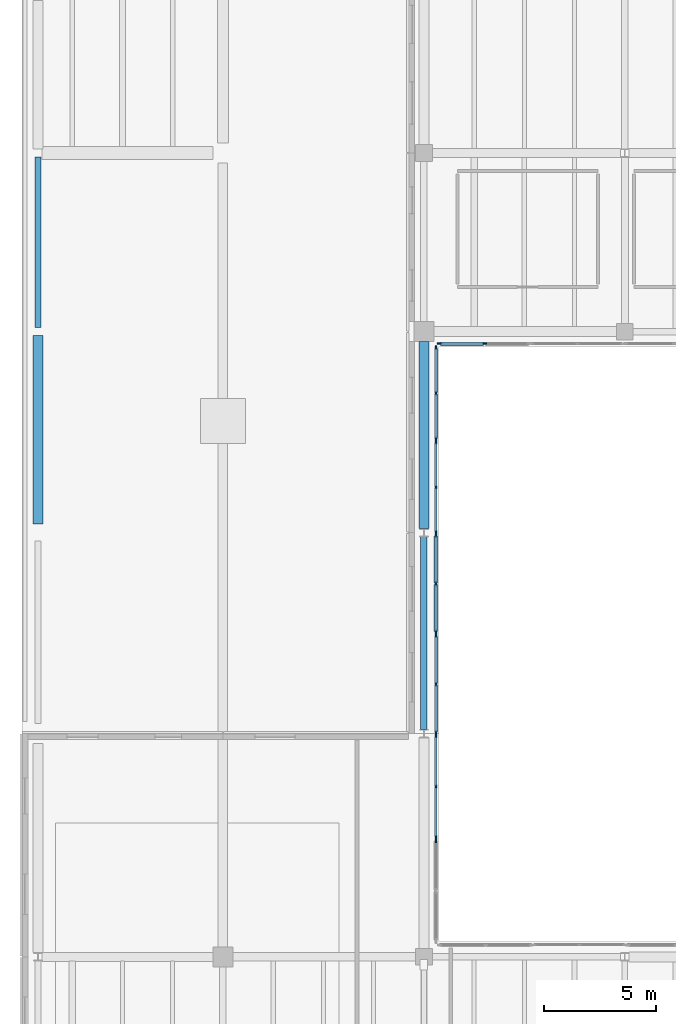
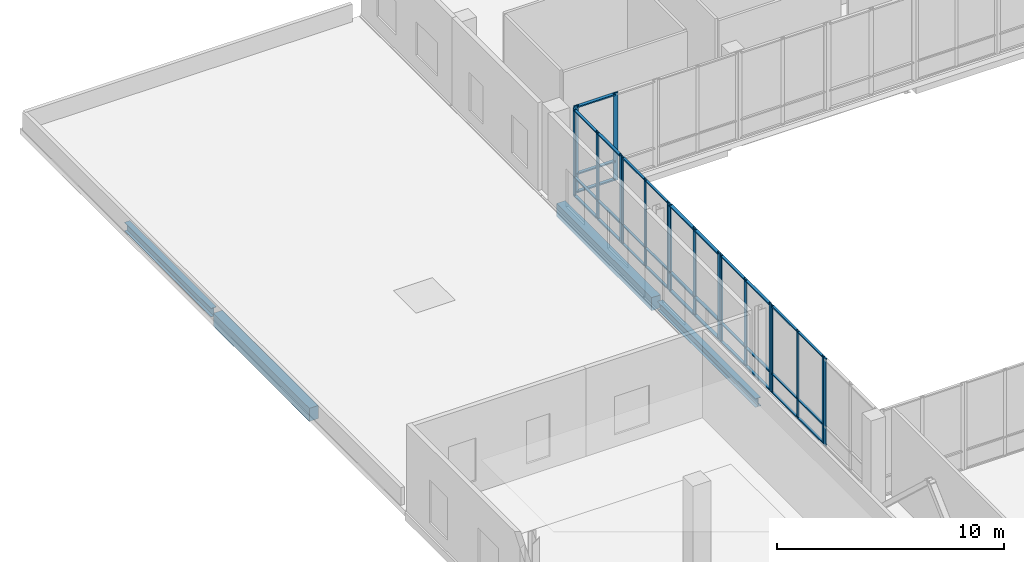
# One storey, part 24 of 60: 51 members, 4 beams, 7 elements without a shape of their own.
"""IFC4 building model written with IfcOpenShell, lengths in metres."""

from ifc_helpers import new_model, si_unit, direction, frame, origin, origin_2d, place, context, subcontext, project, spatial, rectangle, i_section, extrude, material, material_profile, profile_set, type_object, element, aggregate, save


model = new_model("IFC4")

# Units and contexts
model_context = context("Model", 3, precision=1e-05, world=origin(), true_north=direction((0.0, 1.0)))
body_context = subcontext(model_context, "Body", "Model", "MODEL_VIEW")
ifc_project = project(units=[si_unit("LENGTHUNIT", "METRE"), si_unit("AREAUNIT", "SQUARE_METRE"), si_unit("VOLUMEUNIT", "CUBIC_METRE"), si_unit("PLANEANGLEUNIT", "RADIAN"), si_unit("MASSUNIT", "GRAM", prefix="KILO")], contexts=[model_context])

# Site, building, storey
site_placement = place(None, origin())
site = spatial("IfcSite", under=ifc_project, at=site_placement, CompositionType="ELEMENT")
building_placement = place(site_placement, origin())
building = spatial("IfcBuilding", under=site, at=building_placement, Name="Trimount Lyric Opera House", CompositionType="ELEMENT")
storey_placement = place(building_placement, frame((0.0, 0.0, 15.0)))
storey = spatial("IfcBuildingStorey", under=building, at=storey_placement, Name="L03", CompositionType="ELEMENT", Elevation=15.0)

# Curtain wall, members
ifc_material_1 = material(Name="Thermally Broken Aluminium and Low-E Glass", Category="aluminium")
curtain_wall_type = type_object("IfcCurtainWallType", Name="CW-03", PredefinedType="NOTDEFINED", material=ifc_material_1)
curtain_wall_1_placement = place(storey_placement, origin())
curtain_wall_1 = element("IfcCurtainWall", 1, at=curtain_wall_1_placement, inside=storey, type_object=curtain_wall_type, Name="L03 curtain wall 288", PredefinedType="NOTDEFINED")
ifc_material_2 = material(Name="Anodised Aluminium 6063-T6", Category="aluminium")
ifc_material_profile_1 = material_profile(ifc_material_2, rectangle(XDim=0.070068359375, YDim=0.219970703125, at=origin_2d()), Name="ALU-MULL-70X220")
ifc_profile_set_1 = profile_set([ifc_material_profile_1], Name="Anodised Aluminium 6063-T6")
member_type_1 = type_object("IfcMemberType", Name="ML-01", PredefinedType="MULLION", material=ifc_profile_set_1)
member_1_placement = place(storey_placement, frame((20.715087890625, 101.4599609375, 0.0), z_axis=(0.0, 0.0, 1.0), x_axis=(0.0, -1.0, 0.0)))
member_1 = element("IfcMember", 2, at=member_1_placement, type_object=member_type_1, Name="CW-03 mullion 2", PredefinedType="MULLION", context=body_context, shape_type="SweptSolid", body=[
    extrude(rectangle(XDim=0.070068359375, YDim=0.219970703125, at=origin_2d()), origin(), (0.0, 0.0, 1.0), 4.719970703125),
])
member_2_placement = place(storey_placement, frame((18.715087890625, 101.4599609375, 0.0), z_axis=(0.0, 0.0, 1.0), x_axis=(0.0, -1.0, 0.0)))
member_2 = element("IfcMember", 3, at=member_2_placement, type_object=member_type_1, Name="CW-03 mullion 3", PredefinedType="MULLION", context=body_context, shape_type="SweptSolid", body=[
    extrude(rectangle(XDim=0.070068359375, YDim=0.219970703125, at=origin_2d()), origin(), (0.0, 0.0, 1.0), 4.719970703125),
])

curtain_wall_2_placement = place(storey_placement, origin())
curtain_wall_2 = element("IfcCurtainWall", 4, at=curtain_wall_2_placement, inside=storey, type_object=curtain_wall_type, Name="L03 curtain wall 291", PredefinedType="NOTDEFINED")
member_3_placement = place(storey_placement, frame((18.5400390625, 92.875, 0.0), z_axis=(0.0, 0.0, 1.0), x_axis=(1.0, 0.0, 0.0)))
member_3 = element("IfcMember", 5, at=member_3_placement, type_object=member_type_1, Name="CW-03 mullion 1", PredefinedType="MULLION", context=body_context, shape_type="SweptSolid", body=[
    extrude(rectangle(XDim=0.070068359375, YDim=0.219970703125, at=origin_2d()), origin(), (0.0, 0.0, 1.0), 4.719970703125),
])
member_4_placement = place(storey_placement, frame((18.5400390625, 90.705078125, 0.0), z_axis=(0.0, 0.0, 1.0), x_axis=(1.0, 0.0, 0.0)))
member_4 = element("IfcMember", 6, at=member_4_placement, type_object=member_type_1, Name="CW-03 mullion 2", PredefinedType="MULLION", context=body_context, shape_type="SweptSolid", body=[
    extrude(rectangle(XDim=0.070068359375, YDim=0.219970703125, at=origin_2d()), origin(), (0.0, 0.0, 1.0), 4.719970703125),
])
member_5_placement = place(storey_placement, frame((18.5400390625, 88.534912109375, 0.0), z_axis=(0.0, 0.0, 1.0), x_axis=(1.0, 0.0, 0.0)))
member_5 = element("IfcMember", 7, at=member_5_placement, type_object=member_type_1, Name="CW-03 mullion 3", PredefinedType="MULLION", context=body_context, shape_type="SweptSolid", body=[
    extrude(rectangle(XDim=0.070068359375, YDim=0.219970703125, at=origin_2d()), origin(), (0.0, 0.0, 1.0), 4.719970703125),
])

# Curtain wall, member
curtain_wall_3_placement = place(storey_placement, origin())
curtain_wall_3 = element("IfcCurtainWall", 8, at=curtain_wall_3_placement, inside=storey, type_object=curtain_wall_type, Name="L03 curtain wall 294", PredefinedType="NOTDEFINED")
member_6_placement = place(storey_placement, frame((18.5400390625, 79.215087890625, 0.0), z_axis=(0.0, 0.0, 1.0), x_axis=(1.0, 0.0, 0.0)))
member_6 = element("IfcMember", 9, at=member_6_placement, type_object=member_type_1, Name="CW-03 mullion 1", PredefinedType="MULLION", context=body_context, shape_type="SweptSolid", body=[
    extrude(rectangle(XDim=0.070068359375, YDim=0.219970703125, at=origin_2d()), origin(), (0.0, 0.0, 1.0), 4.719970703125),
])
aggregate(curtain_wall_3, [member_6])

# Curtain wall, members
curtain_wall_4_placement = place(storey_placement, origin())
curtain_wall_4 = element("IfcCurtainWall", 10, at=curtain_wall_4_placement, inside=storey, type_object=curtain_wall_type, Name="L03 curtain wall 289", PredefinedType="NOTDEFINED")
ifc_material_3 = material(Name="Anodised Aluminium 6063-T6", Category="aluminium")
ifc_material_profile_2 = material_profile(ifc_material_3, rectangle(XDim=0.06494140625, YDim=0.179931640625, at=origin_2d()), Name="ALU-MULL-65X180")
ifc_profile_set_2 = profile_set([ifc_material_profile_2], Name="Anodised Aluminium 6063-T6")
member_type_2 = type_object("IfcMemberType", Name="ML-02", PredefinedType="MULLION", material=ifc_profile_set_2)
member_7_placement = place(storey_placement, frame((18.5400390625, 101.28759765625, 0.0), z_axis=(0.0, 0.0, 1.0), x_axis=(1.0, 0.0, 0.0)))
member_7 = element("IfcMember", 11, at=member_7_placement, type_object=member_type_2, Name="CW-03 mullion 1", PredefinedType="MULLION", context=body_context, shape_type="SweptSolid", body=[
    extrude(rectangle(XDim=0.06494140625, YDim=0.179931640625, at=origin_2d()), origin(), (0.0, 0.0, 1.0), 4.719970703125),
])
member_8_placement = place(storey_placement, frame((18.5400390625, 99.239990234375, 0.0), z_axis=(0.0, 0.0, 1.0), x_axis=(1.0, 0.0, 0.0)))
member_8 = element("IfcMember", 12, at=member_8_placement, type_object=member_type_2, Name="CW-03 mullion 2", PredefinedType="MULLION", context=body_context, shape_type="SweptSolid", body=[
    extrude(rectangle(XDim=0.06494140625, YDim=0.179931640625, at=origin_2d()), origin(), (0.0, 0.0, 1.0), 4.719970703125),
])
member_9_placement = place(storey_placement, frame((18.5400390625, 97.1923828125, 0.0), z_axis=(0.0, 0.0, 1.0), x_axis=(1.0, 0.0, 0.0)))
member_9 = element("IfcMember", 13, at=member_9_placement, type_object=member_type_2, Name="CW-03 mullion 3", PredefinedType="MULLION", context=body_context, shape_type="SweptSolid", body=[
    extrude(rectangle(XDim=0.06494140625, YDim=0.179931640625, at=origin_2d()), origin(), (0.0, 0.0, 1.0), 4.719970703125),
])

curtain_wall_5_placement = place(storey_placement, origin())
curtain_wall_5 = element("IfcCurtainWall", 14, at=curtain_wall_5_placement, inside=storey, type_object=curtain_wall_type, Name="L03 curtain wall 292", PredefinedType="NOTDEFINED")
member_10_placement = place(storey_placement, frame((18.5400390625, 88.37744140625, 0.0), z_axis=(0.0, 0.0, 1.0), x_axis=(1.0, 0.0, 0.0)))
member_10 = element("IfcMember", 15, at=member_10_placement, type_object=member_type_2, Name="CW-03 mullion 1", PredefinedType="MULLION", context=body_context, shape_type="SweptSolid", body=[
    extrude(rectangle(XDim=0.06494140625, YDim=0.179931640625, at=origin_2d()), origin(), (0.0, 0.0, 1.0), 4.719970703125),
])
member_11_placement = place(storey_placement, frame((18.5400390625, 86.205078125, 0.0), z_axis=(0.0, 0.0, 1.0), x_axis=(1.0, 0.0, 0.0)))
member_11 = element("IfcMember", 16, at=member_11_placement, type_object=member_type_2, Name="CW-03 mullion 2", PredefinedType="MULLION", context=body_context, shape_type="SweptSolid", body=[
    extrude(rectangle(XDim=0.06494140625, YDim=0.179931640625, at=origin_2d()), origin(), (0.0, 0.0, 1.0), 4.719970703125),
])
member_12_placement = place(storey_placement, frame((18.5400390625, 84.032470703125, 0.0), z_axis=(0.0, 0.0, 1.0), x_axis=(1.0, 0.0, 0.0)))
member_12 = element("IfcMember", 17, at=member_12_placement, type_object=member_type_2, Name="CW-03 mullion 3", PredefinedType="MULLION", context=body_context, shape_type="SweptSolid", body=[
    extrude(rectangle(XDim=0.06494140625, YDim=0.179931640625, at=origin_2d()), origin(), (0.0, 0.0, 1.0), 4.719970703125),
])

curtain_wall_6_placement = place(storey_placement, origin())
curtain_wall_6 = element("IfcCurtainWall", 18, at=curtain_wall_6_placement, inside=storey, type_object=curtain_wall_type, Name="L03 curtain wall 290", PredefinedType="NOTDEFINED")
ifc_material_4 = material(Name="Anodised Aluminium 6063-T6", Category="aluminium")
ifc_material_profile_3 = material_profile(ifc_material_4, rectangle(XDim=0.06005859375, YDim=0.14990234375, at=origin_2d()), Name="ALU-MULL-60X150")
ifc_profile_set_3 = profile_set([ifc_material_profile_3], Name="Anodised Aluminium 6063-T6")
member_type_3 = type_object("IfcMemberType", Name="ML-03", PredefinedType="MULLION", material=ifc_profile_set_3)
member_13_placement = place(storey_placement, frame((18.5400390625, 97.0400390625, 0.0), z_axis=(0.0, 0.0, 1.0), x_axis=(1.0, 0.0, 0.0)))
member_13 = element("IfcMember", 19, at=member_13_placement, type_object=member_type_3, Name="CW-03 mullion 1", PredefinedType="MULLION", context=body_context, shape_type="SweptSolid", body=[
    extrude(rectangle(XDim=0.06005859375, YDim=0.14990234375, at=origin_2d()), origin(), (0.0, 0.0, 1.0), 4.719970703125),
])
member_14_placement = place(storey_placement, frame((18.5400390625, 95.034912109375, 0.0), z_axis=(0.0, 0.0, 1.0), x_axis=(1.0, 0.0, 0.0)))
member_14 = element("IfcMember", 20, at=member_14_placement, type_object=member_type_3, Name="CW-03 mullion 2", PredefinedType="MULLION", context=body_context, shape_type="SweptSolid", body=[
    extrude(rectangle(XDim=0.06005859375, YDim=0.14990234375, at=origin_2d()), origin(), (0.0, 0.0, 1.0), 4.719970703125),
])
member_15_placement = place(storey_placement, frame((18.5400390625, 93.030029296875, 0.0), z_axis=(0.0, 0.0, 1.0), x_axis=(1.0, 0.0, 0.0)))
member_15 = element("IfcMember", 21, at=member_15_placement, type_object=member_type_3, Name="CW-03 mullion 3", PredefinedType="MULLION", context=body_context, shape_type="SweptSolid", body=[
    extrude(rectangle(XDim=0.06005859375, YDim=0.14990234375, at=origin_2d()), origin(), (0.0, 0.0, 1.0), 4.719970703125),
])

curtain_wall_7_placement = place(storey_placement, origin())
curtain_wall_7 = element("IfcCurtainWall", 22, at=curtain_wall_7_placement, inside=storey, type_object=curtain_wall_type, Name="L03 curtain wall 293", PredefinedType="NOTDEFINED")
member_16_placement = place(storey_placement, frame((18.5400390625, 83.8798828125, 0.0), z_axis=(0.0, 0.0, 1.0), x_axis=(1.0, 0.0, 0.0)))
member_16 = element("IfcMember", 23, at=member_16_placement, type_object=member_type_3, Name="CW-03 mullion 1", PredefinedType="MULLION", context=body_context, shape_type="SweptSolid", body=[
    extrude(rectangle(XDim=0.06005859375, YDim=0.14990234375, at=origin_2d()), origin(), (0.0, 0.0, 1.0), 4.719970703125),
])
member_17_placement = place(storey_placement, frame((18.5400390625, 81.625, 0.0), z_axis=(0.0, 0.0, 1.0), x_axis=(1.0, 0.0, 0.0)))
member_17 = element("IfcMember", 24, at=member_17_placement, type_object=member_type_3, Name="CW-03 mullion 2", PredefinedType="MULLION", context=body_context, shape_type="SweptSolid", body=[
    extrude(rectangle(XDim=0.06005859375, YDim=0.14990234375, at=origin_2d()), origin(), (0.0, 0.0, 1.0), 4.719970703125),
])
member_18_placement = place(storey_placement, frame((18.5400390625, 79.3701171875, 0.0), z_axis=(0.0, 0.0, 1.0), x_axis=(1.0, 0.0, 0.0)))
member_18 = element("IfcMember", 25, at=member_18_placement, type_object=member_type_3, Name="CW-03 mullion 3", PredefinedType="MULLION", context=body_context, shape_type="SweptSolid", body=[
    extrude(rectangle(XDim=0.06005859375, YDim=0.14990234375, at=origin_2d()), origin(), (0.0, 0.0, 1.0), 4.719970703125),
])

# Beams
ifc_material_5 = material(Name="Steel ASTM A992 Grade 50", Category="steel")
ifc_material_profile_4 = material_profile(ifc_material_5, i_section(OverallWidth=0.281982421875, OverallDepth=0.467041015625, WebThickness=0.01220703125, FlangeThickness=0.01953125, FilletRadius=0.012939453125, at=origin_2d()), Name="W18X86")
ifc_profile_set_4 = profile_set([ifc_material_profile_4], Name="Steel ASTM A992 Grade 50")
beam_type_1 = type_object("IfcBeamType", Name="SP-01", PredefinedType="SPANDREL", material=ifc_profile_set_4)
beam_1_placement = place(storey_placement, frame((0.719970703125, 102.177978515625, -0.5234375), z_axis=(0.0, 1.0, 0.0), x_axis=(-1.0, 0.0, 0.0)))
element("IfcBeam", 26, at=beam_1_placement, inside=storey, type_object=beam_type_1, Name="L03 girder Y-1034", PredefinedType="SPANDREL", context=body_context, shape_type="SweptSolid", body=[
    extrude(i_section(OverallWidth=0.281982421875, OverallDepth=0.467041015625, WebThickness=0.01220703125, FlangeThickness=0.01953125, FilletRadius=0.012939453125, at=origin_2d()), origin(), (0.0, 0.0, 1.0), 7.637939453125),
])
beam_2_placement = place(storey_placement, frame((18.0, 84.177978515625, -0.513427734375), z_axis=(0.0, 1.0, 0.0), x_axis=(-1.0, 0.0, 0.0)))
element("IfcBeam", 27, at=beam_2_placement, inside=storey, type_object=beam_type_1, Name="L03 girder Y-1042", PredefinedType="SPANDREL", context=body_context, shape_type="SweptSolid", body=[
    extrude(i_section(OverallWidth=0.281982421875, OverallDepth=0.467041015625, WebThickness=0.01220703125, FlangeThickness=0.01953125, FilletRadius=0.012939453125, at=origin_2d()), origin(), (0.0, 0.0, 1.0), 8.637939453125),
])
ifc_material_6 = material(Name="Concrete C40/50", Category="concrete")
ifc_material_profile_5 = material_profile(ifc_material_6, rectangle(XDim=0.449951171875, YDim=0.699951171875, at=origin_2d()), Name="RC450X700")
ifc_profile_set_5 = profile_set([ifc_material_profile_5], Name="Concrete C40/50")
beam_type_2 = type_object("IfcBeamType", Name="SP-02", PredefinedType="SPANDREL", material=ifc_profile_set_5)
beam_3_placement = place(storey_placement, frame((0.719970703125, 93.375, -0.639892578125), z_axis=(0.0, 1.0, 0.0), x_axis=(-1.0, 0.0, 0.0)))
element("IfcBeam", 28, at=beam_3_placement, inside=storey, type_object=beam_type_2, Name="L03 girder Y-1033", PredefinedType="SPANDREL", context=body_context, shape_type="SweptSolid", body=[
    extrude(rectangle(XDim=0.449951171875, YDim=0.699951171875, at=origin_2d()), origin(), (0.0, 0.0, 1.0), 8.447021484375),
])
beam_4_placement = place(storey_placement, frame((18.0, 93.18408203125, -0.6298828125), z_axis=(0.0, 1.0, 0.0), x_axis=(-1.0, 0.0, 0.0)))
element("IfcBeam", 29, at=beam_4_placement, inside=storey, type_object=beam_type_2, Name="L03 girder Y-1043", PredefinedType="SPANDREL", context=body_context, shape_type="SweptSolid", body=[
    extrude(rectangle(XDim=0.449951171875, YDim=0.699951171875, at=origin_2d()), origin(), (0.0, 0.0, 1.0), 8.365966796875),
])

# Member
ifc_material_7 = material(Name="Anodised Aluminium 6063-T6", Category="aluminium")
ifc_material_profile_6 = material_profile(ifc_material_7, rectangle(XDim=0.159912109375, YDim=0.070068359375, at=origin_2d()), Name="ALU-TRAN-70X160")
ifc_profile_set_6 = profile_set([ifc_material_profile_6], Name="Anodised Aluminium 6063-T6")
member_type_4 = type_object("IfcMemberType", Name="TR-01", PredefinedType="USERDEFINED", material=ifc_profile_set_6)
member_19_placement = place(storey_placement, frame((20.679931640625, 101.4599609375, 0.080078125), z_axis=(-1.0, 0.0, 0.0), x_axis=(0.0, -1.0, 0.0)))
member_19 = element("IfcMember", 30, at=member_19_placement, type_object=member_type_4, Name="CW-03 transom 2.1", ObjectType="TRANSOM", PredefinedType="USERDEFINED", context=body_context, shape_type="SweptSolid", body=[
    extrude(rectangle(XDim=0.159912109375, YDim=0.070068359375, at=origin_2d()), origin(), (0.0, 0.0, 1.0), 1.929931640625),
])

member_20_placement = place(storey_placement, frame((20.679931640625, 101.4599609375, 1.050048828125), z_axis=(-1.0, 0.0, 0.0), x_axis=(0.0, -1.0, 0.0)))
member_20 = element("IfcMember", 31, at=member_20_placement, type_object=member_type_4, Name="CW-03 transom 2.2", ObjectType="TRANSOM", PredefinedType="USERDEFINED", context=body_context, shape_type="SweptSolid", body=[
    extrude(rectangle(XDim=0.159912109375, YDim=0.070068359375, at=origin_2d()), origin(), (0.0, 0.0, 1.0), 1.929931640625),
])

member_21_placement = place(storey_placement, frame((20.679931640625, 101.4599609375, 4.639892578125), z_axis=(-1.0, 0.0, 0.0), x_axis=(0.0, -1.0, 0.0)))
member_21 = element("IfcMember", 32, at=member_21_placement, type_object=member_type_4, Name="CW-03 transom 2.3", ObjectType="TRANSOM", PredefinedType="USERDEFINED", context=body_context, shape_type="SweptSolid", body=[
    extrude(rectangle(XDim=0.159912109375, YDim=0.070068359375, at=origin_2d()), origin(), (0.0, 0.0, 1.0), 1.929931640625),
])

aggregate(curtain_wall_1, [member_1, member_2, member_19, member_20, member_21])

member_22_placement = place(storey_placement, frame((18.5400390625, 92.840087890625, 0.080078125), z_axis=(0.0, -1.0, 0.0), x_axis=(1.0, 0.0, 0.0)))
member_22 = element("IfcMember", 33, at=member_22_placement, type_object=member_type_4, Name="CW-03 transom 1.1", ObjectType="TRANSOM", PredefinedType="USERDEFINED", context=body_context, shape_type="SweptSolid", body=[
    extrude(rectangle(XDim=0.159912109375, YDim=0.070068359375, at=origin_2d()), origin(), (0.0, 0.0, 1.0), 2.10009765625),
])

member_23_placement = place(storey_placement, frame((18.5400390625, 92.840087890625, 1.050048828125), z_axis=(0.0, -1.0, 0.0), x_axis=(1.0, 0.0, 0.0)))
member_23 = element("IfcMember", 34, at=member_23_placement, type_object=member_type_4, Name="CW-03 transom 1.2", ObjectType="TRANSOM", PredefinedType="USERDEFINED", context=body_context, shape_type="SweptSolid", body=[
    extrude(rectangle(XDim=0.159912109375, YDim=0.070068359375, at=origin_2d()), origin(), (0.0, 0.0, 1.0), 2.10009765625),
])

member_24_placement = place(storey_placement, frame((18.5400390625, 92.840087890625, 4.639892578125), z_axis=(0.0, -1.0, 0.0), x_axis=(1.0, 0.0, 0.0)))
member_24 = element("IfcMember", 35, at=member_24_placement, type_object=member_type_4, Name="CW-03 transom 1.3", ObjectType="TRANSOM", PredefinedType="USERDEFINED", context=body_context, shape_type="SweptSolid", body=[
    extrude(rectangle(XDim=0.159912109375, YDim=0.070068359375, at=origin_2d()), origin(), (0.0, 0.0, 1.0), 2.10009765625),
])

member_25_placement = place(storey_placement, frame((18.5400390625, 90.669921875, 0.080078125), z_axis=(0.0, -1.0, 0.0), x_axis=(1.0, 0.0, 0.0)))
member_25 = element("IfcMember", 36, at=member_25_placement, type_object=member_type_4, Name="CW-03 transom 2.1", ObjectType="TRANSOM", PredefinedType="USERDEFINED", context=body_context, shape_type="SweptSolid", body=[
    extrude(rectangle(XDim=0.159912109375, YDim=0.070068359375, at=origin_2d()), origin(), (0.0, 0.0, 1.0), 2.099853515625),
])

member_26_placement = place(storey_placement, frame((18.5400390625, 90.669921875, 1.050048828125), z_axis=(0.0, -1.0, 0.0), x_axis=(1.0, 0.0, 0.0)))
member_26 = element("IfcMember", 37, at=member_26_placement, type_object=member_type_4, Name="CW-03 transom 2.2", ObjectType="TRANSOM", PredefinedType="USERDEFINED", context=body_context, shape_type="SweptSolid", body=[
    extrude(rectangle(XDim=0.159912109375, YDim=0.070068359375, at=origin_2d()), origin(), (0.0, 0.0, 1.0), 2.099853515625),
])

member_27_placement = place(storey_placement, frame((18.5400390625, 90.669921875, 4.639892578125), z_axis=(0.0, -1.0, 0.0), x_axis=(1.0, 0.0, 0.0)))
member_27 = element("IfcMember", 38, at=member_27_placement, type_object=member_type_4, Name="CW-03 transom 2.3", ObjectType="TRANSOM", PredefinedType="USERDEFINED", context=body_context, shape_type="SweptSolid", body=[
    extrude(rectangle(XDim=0.159912109375, YDim=0.070068359375, at=origin_2d()), origin(), (0.0, 0.0, 1.0), 2.099853515625),
])

aggregate(curtain_wall_2, [member_3, member_4, member_5, member_22, member_23, member_24, member_25, member_26, member_27])

ifc_material_8 = material(Name="Anodised Aluminium 6063-T6", Category="aluminium")
ifc_material_profile_7 = material_profile(ifc_material_8, rectangle(XDim=0.135009765625, YDim=0.06494140625, at=origin_2d()), Name="ALU-TRAN-65X135")
ifc_profile_set_7 = profile_set([ifc_material_profile_7], Name="Anodised Aluminium 6063-T6")
member_type_5 = type_object("IfcMemberType", Name="TR-02", PredefinedType="USERDEFINED", material=ifc_profile_set_7)
member_28_placement = place(storey_placement, frame((18.5400390625, 101.2548828125, 0.0673828125), z_axis=(0.0, -1.0, 0.0), x_axis=(1.0, 0.0, 0.0)))
member_28 = element("IfcMember", 39, at=member_28_placement, type_object=member_type_5, Name="CW-03 transom 1.1", ObjectType="TRANSOM", PredefinedType="USERDEFINED", context=body_context, shape_type="SweptSolid", body=[
    extrude(rectangle(XDim=0.135009765625, YDim=0.06494140625, at=origin_2d()), origin(), (0.0, 0.0, 1.0), 1.982421875),
])

member_29_placement = place(storey_placement, frame((18.5400390625, 101.2548828125, 1.050048828125), z_axis=(0.0, -1.0, 0.0), x_axis=(1.0, 0.0, 0.0)))
member_29 = element("IfcMember", 40, at=member_29_placement, type_object=member_type_5, Name="CW-03 transom 1.2", ObjectType="TRANSOM", PredefinedType="USERDEFINED", context=body_context, shape_type="SweptSolid", body=[
    extrude(rectangle(XDim=0.135009765625, YDim=0.06494140625, at=origin_2d()), origin(), (0.0, 0.0, 1.0), 1.982421875),
])

member_30_placement = place(storey_placement, frame((18.5400390625, 101.2548828125, 4.652587890625), z_axis=(0.0, -1.0, 0.0), x_axis=(1.0, 0.0, 0.0)))
member_30 = element("IfcMember", 41, at=member_30_placement, type_object=member_type_5, Name="CW-03 transom 1.3", ObjectType="TRANSOM", PredefinedType="USERDEFINED", context=body_context, shape_type="SweptSolid", body=[
    extrude(rectangle(XDim=0.135009765625, YDim=0.06494140625, at=origin_2d()), origin(), (0.0, 0.0, 1.0), 1.982421875),
])

member_31_placement = place(storey_placement, frame((18.5400390625, 99.20751953125, 0.0673828125), z_axis=(0.0, -1.0, 0.0), x_axis=(1.0, 0.0, 0.0)))
member_31 = element("IfcMember", 42, at=member_31_placement, type_object=member_type_5, Name="CW-03 transom 2.1", ObjectType="TRANSOM", PredefinedType="USERDEFINED", context=body_context, shape_type="SweptSolid", body=[
    extrude(rectangle(XDim=0.135009765625, YDim=0.06494140625, at=origin_2d()), origin(), (0.0, 0.0, 1.0), 1.982421875),
])

member_32_placement = place(storey_placement, frame((18.5400390625, 99.20751953125, 1.050048828125), z_axis=(0.0, -1.0, 0.0), x_axis=(1.0, 0.0, 0.0)))
member_32 = element("IfcMember", 43, at=member_32_placement, type_object=member_type_5, Name="CW-03 transom 2.2", ObjectType="TRANSOM", PredefinedType="USERDEFINED", context=body_context, shape_type="SweptSolid", body=[
    extrude(rectangle(XDim=0.135009765625, YDim=0.06494140625, at=origin_2d()), origin(), (0.0, 0.0, 1.0), 1.982421875),
])

member_33_placement = place(storey_placement, frame((18.5400390625, 99.20751953125, 4.652587890625), z_axis=(0.0, -1.0, 0.0), x_axis=(1.0, 0.0, 0.0)))
member_33 = element("IfcMember", 44, at=member_33_placement, type_object=member_type_5, Name="CW-03 transom 2.3", ObjectType="TRANSOM", PredefinedType="USERDEFINED", context=body_context, shape_type="SweptSolid", body=[
    extrude(rectangle(XDim=0.135009765625, YDim=0.06494140625, at=origin_2d()), origin(), (0.0, 0.0, 1.0), 1.982421875),
])

aggregate(curtain_wall_4, [member_7, member_8, member_9, member_28, member_29, member_30, member_31, member_32, member_33])

member_34_placement = place(storey_placement, frame((18.5400390625, 88.344970703125, 0.0673828125), z_axis=(0.0, -1.0, 0.0), x_axis=(1.0, 0.0, 0.0)))
member_34 = element("IfcMember", 45, at=member_34_placement, type_object=member_type_5, Name="CW-03 transom 1.1", ObjectType="TRANSOM", PredefinedType="USERDEFINED", context=body_context, shape_type="SweptSolid", body=[
    extrude(rectangle(XDim=0.135009765625, YDim=0.06494140625, at=origin_2d()), origin(), (0.0, 0.0, 1.0), 2.107421875),
])

member_35_placement = place(storey_placement, frame((18.5400390625, 88.344970703125, 1.050048828125), z_axis=(0.0, -1.0, 0.0), x_axis=(1.0, 0.0, 0.0)))
member_35 = element("IfcMember", 46, at=member_35_placement, type_object=member_type_5, Name="CW-03 transom 1.2", ObjectType="TRANSOM", PredefinedType="USERDEFINED", context=body_context, shape_type="SweptSolid", body=[
    extrude(rectangle(XDim=0.135009765625, YDim=0.06494140625, at=origin_2d()), origin(), (0.0, 0.0, 1.0), 2.107421875),
])

member_36_placement = place(storey_placement, frame((18.5400390625, 88.344970703125, 4.652587890625), z_axis=(0.0, -1.0, 0.0), x_axis=(1.0, 0.0, 0.0)))
member_36 = element("IfcMember", 47, at=member_36_placement, type_object=member_type_5, Name="CW-03 transom 1.3", ObjectType="TRANSOM", PredefinedType="USERDEFINED", context=body_context, shape_type="SweptSolid", body=[
    extrude(rectangle(XDim=0.135009765625, YDim=0.06494140625, at=origin_2d()), origin(), (0.0, 0.0, 1.0), 2.107421875),
])

member_37_placement = place(storey_placement, frame((18.5400390625, 86.172607421875, 0.0673828125), z_axis=(0.0, -1.0, 0.0), x_axis=(1.0, 0.0, 0.0)))
member_37 = element("IfcMember", 48, at=member_37_placement, type_object=member_type_5, Name="CW-03 transom 2.1", ObjectType="TRANSOM", PredefinedType="USERDEFINED", context=body_context, shape_type="SweptSolid", body=[
    extrude(rectangle(XDim=0.135009765625, YDim=0.06494140625, at=origin_2d()), origin(), (0.0, 0.0, 1.0), 2.107666015625),
])

member_38_placement = place(storey_placement, frame((18.5400390625, 86.172607421875, 1.050048828125), z_axis=(0.0, -1.0, 0.0), x_axis=(1.0, 0.0, 0.0)))
member_38 = element("IfcMember", 49, at=member_38_placement, type_object=member_type_5, Name="CW-03 transom 2.2", ObjectType="TRANSOM", PredefinedType="USERDEFINED", context=body_context, shape_type="SweptSolid", body=[
    extrude(rectangle(XDim=0.135009765625, YDim=0.06494140625, at=origin_2d()), origin(), (0.0, 0.0, 1.0), 2.107666015625),
])

member_39_placement = place(storey_placement, frame((18.5400390625, 86.172607421875, 4.652587890625), z_axis=(0.0, -1.0, 0.0), x_axis=(1.0, 0.0, 0.0)))
member_39 = element("IfcMember", 50, at=member_39_placement, type_object=member_type_5, Name="CW-03 transom 2.3", ObjectType="TRANSOM", PredefinedType="USERDEFINED", context=body_context, shape_type="SweptSolid", body=[
    extrude(rectangle(XDim=0.135009765625, YDim=0.06494140625, at=origin_2d()), origin(), (0.0, 0.0, 1.0), 2.107666015625),
])

aggregate(curtain_wall_5, [member_10, member_11, member_12, member_34, member_35, member_36, member_37, member_38, member_39])

ifc_material_9 = material(Name="Anodised Aluminium 6063-T6", Category="aluminium")
ifc_material_profile_8 = material_profile(ifc_material_9, rectangle(XDim=0.114990234375, YDim=0.06005859375, at=origin_2d()), Name="ALU-TRAN-60X115")
ifc_profile_set_8 = profile_set([ifc_material_profile_8], Name="Anodised Aluminium 6063-T6")
member_type_6 = type_object("IfcMemberType", Name="TR-03", PredefinedType="USERDEFINED", material=ifc_profile_set_8)
member_40_placement = place(storey_placement, frame((18.5400390625, 97.010009765625, 0.0576171875), z_axis=(0.0, -1.0, 0.0), x_axis=(1.0, 0.0, 0.0)))
member_40 = element("IfcMember", 51, at=member_40_placement, type_object=member_type_6, Name="CW-03 transom 1.1", ObjectType="TRANSOM", PredefinedType="USERDEFINED", context=body_context, shape_type="SweptSolid", body=[
    extrude(rectangle(XDim=0.114990234375, YDim=0.06005859375, at=origin_2d()), origin(), (0.0, 0.0, 1.0), 1.945068359375),
])

member_41_placement = place(storey_placement, frame((18.5400390625, 97.010009765625, 1.050048828125), z_axis=(0.0, -1.0, 0.0), x_axis=(1.0, 0.0, 0.0)))
member_41 = element("IfcMember", 52, at=member_41_placement, type_object=member_type_6, Name="CW-03 transom 1.2", ObjectType="TRANSOM", PredefinedType="USERDEFINED", context=body_context, shape_type="SweptSolid", body=[
    extrude(rectangle(XDim=0.114990234375, YDim=0.06005859375, at=origin_2d()), origin(), (0.0, 0.0, 1.0), 1.945068359375),
])

member_42_placement = place(storey_placement, frame((18.5400390625, 97.010009765625, 4.66259765625), z_axis=(0.0, -1.0, 0.0), x_axis=(1.0, 0.0, 0.0)))
member_42 = element("IfcMember", 53, at=member_42_placement, type_object=member_type_6, Name="CW-03 transom 1.3", ObjectType="TRANSOM", PredefinedType="USERDEFINED", context=body_context, shape_type="SweptSolid", body=[
    extrude(rectangle(XDim=0.114990234375, YDim=0.06005859375, at=origin_2d()), origin(), (0.0, 0.0, 1.0), 1.945068359375),
])

member_43_placement = place(storey_placement, frame((18.5400390625, 95.0048828125, 0.0576171875), z_axis=(0.0, -1.0, 0.0), x_axis=(1.0, 0.0, 0.0)))
member_43 = element("IfcMember", 54, at=member_43_placement, type_object=member_type_6, Name="CW-03 transom 2.1", ObjectType="TRANSOM", PredefinedType="USERDEFINED", context=body_context, shape_type="SweptSolid", body=[
    extrude(rectangle(XDim=0.114990234375, YDim=0.06005859375, at=origin_2d()), origin(), (0.0, 0.0, 1.0), 1.94482421875),
])

member_44_placement = place(storey_placement, frame((18.5400390625, 95.0048828125, 1.050048828125), z_axis=(0.0, -1.0, 0.0), x_axis=(1.0, 0.0, 0.0)))
member_44 = element("IfcMember", 55, at=member_44_placement, type_object=member_type_6, Name="CW-03 transom 2.2", ObjectType="TRANSOM", PredefinedType="USERDEFINED", context=body_context, shape_type="SweptSolid", body=[
    extrude(rectangle(XDim=0.114990234375, YDim=0.06005859375, at=origin_2d()), origin(), (0.0, 0.0, 1.0), 1.94482421875),
])

member_45_placement = place(storey_placement, frame((18.5400390625, 95.0048828125, 4.66259765625), z_axis=(0.0, -1.0, 0.0), x_axis=(1.0, 0.0, 0.0)))
member_45 = element("IfcMember", 56, at=member_45_placement, type_object=member_type_6, Name="CW-03 transom 2.3", ObjectType="TRANSOM", PredefinedType="USERDEFINED", context=body_context, shape_type="SweptSolid", body=[
    extrude(rectangle(XDim=0.114990234375, YDim=0.06005859375, at=origin_2d()), origin(), (0.0, 0.0, 1.0), 1.94482421875),
])

aggregate(curtain_wall_6, [member_13, member_14, member_15, member_40, member_41, member_42, member_43, member_44, member_45])

member_46_placement = place(storey_placement, frame((18.5400390625, 83.85009765625, 0.0576171875), z_axis=(0.0, -1.0, 0.0), x_axis=(1.0, 0.0, 0.0)))
member_46 = element("IfcMember", 57, at=member_46_placement, type_object=member_type_6, Name="CW-03 transom 1.1", ObjectType="TRANSOM", PredefinedType="USERDEFINED", context=body_context, shape_type="SweptSolid", body=[
    extrude(rectangle(XDim=0.114990234375, YDim=0.06005859375, at=origin_2d()), origin(), (0.0, 0.0, 1.0), 2.195068359375),
])

member_47_placement = place(storey_placement, frame((18.5400390625, 83.85009765625, 1.050048828125), z_axis=(0.0, -1.0, 0.0), x_axis=(1.0, 0.0, 0.0)))
member_47 = element("IfcMember", 58, at=member_47_placement, type_object=member_type_6, Name="CW-03 transom 1.2", ObjectType="TRANSOM", PredefinedType="USERDEFINED", context=body_context, shape_type="SweptSolid", body=[
    extrude(rectangle(XDim=0.114990234375, YDim=0.06005859375, at=origin_2d()), origin(), (0.0, 0.0, 1.0), 2.195068359375),
])

member_48_placement = place(storey_placement, frame((18.5400390625, 83.85009765625, 4.66259765625), z_axis=(0.0, -1.0, 0.0), x_axis=(1.0, 0.0, 0.0)))
member_48 = element("IfcMember", 59, at=member_48_placement, type_object=member_type_6, Name="CW-03 transom 1.3", ObjectType="TRANSOM", PredefinedType="USERDEFINED", context=body_context, shape_type="SweptSolid", body=[
    extrude(rectangle(XDim=0.114990234375, YDim=0.06005859375, at=origin_2d()), origin(), (0.0, 0.0, 1.0), 2.195068359375),
])

member_49_placement = place(storey_placement, frame((18.5400390625, 81.594970703125, 0.0576171875), z_axis=(0.0, -1.0, 0.0), x_axis=(1.0, 0.0, 0.0)))
member_49 = element("IfcMember", 60, at=member_49_placement, type_object=member_type_6, Name="CW-03 transom 2.1", ObjectType="TRANSOM", PredefinedType="USERDEFINED", context=body_context, shape_type="SweptSolid", body=[
    extrude(rectangle(XDim=0.114990234375, YDim=0.06005859375, at=origin_2d()), origin(), (0.0, 0.0, 1.0), 2.195068359375),
])

member_50_placement = place(storey_placement, frame((18.5400390625, 81.594970703125, 1.050048828125), z_axis=(0.0, -1.0, 0.0), x_axis=(1.0, 0.0, 0.0)))
member_50 = element("IfcMember", 61, at=member_50_placement, type_object=member_type_6, Name="CW-03 transom 2.2", ObjectType="TRANSOM", PredefinedType="USERDEFINED", context=body_context, shape_type="SweptSolid", body=[
    extrude(rectangle(XDim=0.114990234375, YDim=0.06005859375, at=origin_2d()), origin(), (0.0, 0.0, 1.0), 2.195068359375),
])

member_51_placement = place(storey_placement, frame((18.5400390625, 81.594970703125, 4.66259765625), z_axis=(0.0, -1.0, 0.0), x_axis=(1.0, 0.0, 0.0)))
member_51 = element("IfcMember", 62, at=member_51_placement, type_object=member_type_6, Name="CW-03 transom 2.3", ObjectType="TRANSOM", PredefinedType="USERDEFINED", context=body_context, shape_type="SweptSolid", body=[
    extrude(rectangle(XDim=0.114990234375, YDim=0.06005859375, at=origin_2d()), origin(), (0.0, 0.0, 1.0), 2.195068359375),
])

aggregate(curtain_wall_7, [member_16, member_17, member_18, member_46, member_47, member_48, member_49, member_50, member_51])

save(model, "model.ifc")
